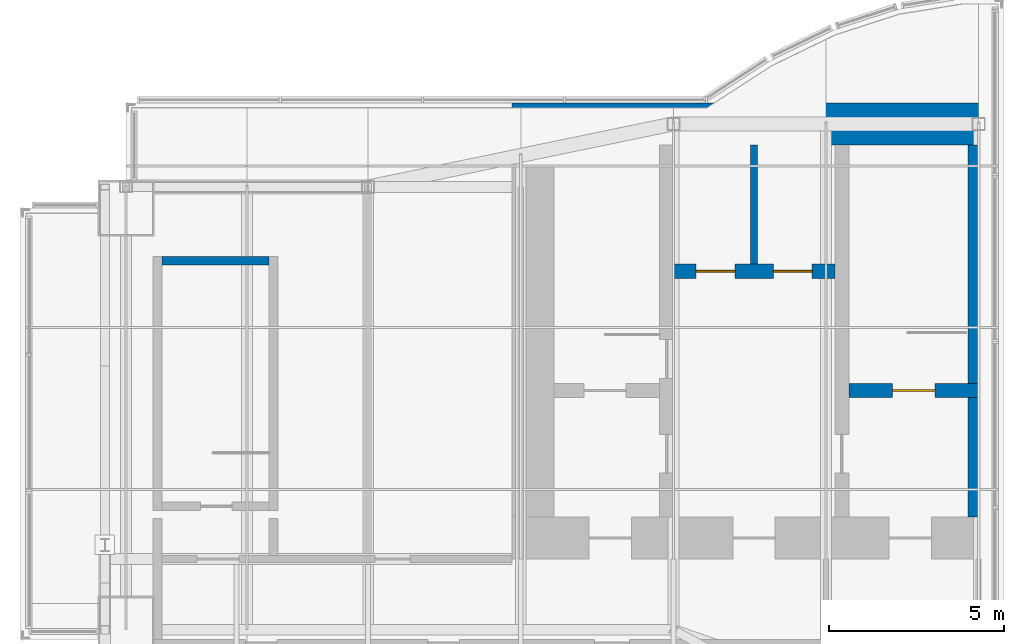
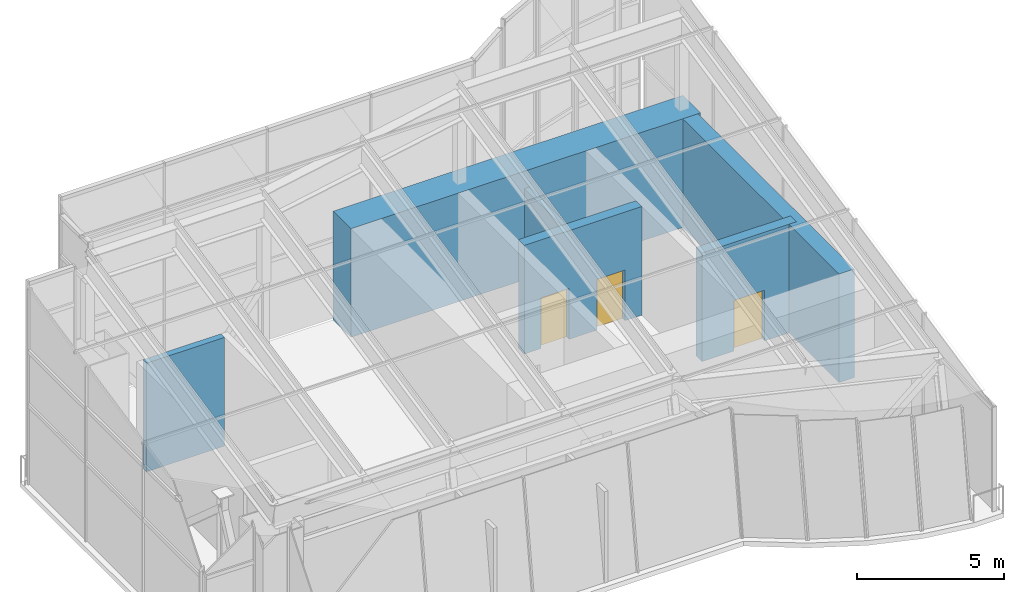
# One storey, part 7 of 8: 6 walls, 3 doors, 3 openings.
"""IFC4 building model written with IfcOpenShell, lengths in metres."""

from ifc_helpers import new_model, si_unit, direction, frame, frame_2d, origin, place, context, subcontext, project, spatial, rectangle, extrude, material, layer, layer_set, type_object, element, fill, save


model = new_model("IFC4")

# Units and contexts
model_context = context("Model", 3, precision=1e-05, world=origin(), true_north=direction((0.0, 1.0)))
body_context = subcontext(model_context, "Body", "Model", "MODEL_VIEW")
ifc_project = project(units=[si_unit("LENGTHUNIT", "METRE"), si_unit("AREAUNIT", "SQUARE_METRE"), si_unit("VOLUMEUNIT", "CUBIC_METRE"), si_unit("PLANEANGLEUNIT", "RADIAN"), si_unit("MASSUNIT", "GRAM", prefix="KILO")], contexts=[model_context])

# Site, building, storey
site_placement = place(None, origin())
site = spatial("IfcSite", under=ifc_project, at=site_placement, CompositionType="ELEMENT")
building_placement = place(site_placement, origin())
building = spatial("IfcBuilding", under=site, at=building_placement, Name="Bicima Exchange Tower", CompositionType="ELEMENT")
storey_placement = place(building_placement, frame((0.0, 0.0, 379.39990234375)))
storey = spatial("IfcBuildingStorey", under=building, at=storey_placement, Name="L85", CompositionType="ELEMENT", Elevation=379.39990234375)

# Walls
ifc_material_1 = material(Name="Gypsum board partition")
ifc_layer_1 = layer(ifc_material_1, 0.199951171875)
ifc_layer_set_1 = layer_set([ifc_layer_1], Name="Gypsum board partition")
wall_type_1 = type_object("IfcWallType", Name="Fire-rated gypsum partition 200 EI120", PredefinedType="PARTITIONING", material=ifc_layer_set_1)
wall_1_placement = place(storey_placement, frame((-15.10009765625, -4.60009765625, 0.0), z_axis=(0.0, 0.0, 1.0), x_axis=(0.0, 1.0, 0.0)))
element("IfcWall", 1, at=wall_1_placement, inside=storey, type_object=wall_type_1, Name="partition wall 5", PredefinedType="PARTITIONING", context=body_context, shape_type="SweptSolid", body=[
    extrude(rectangle(XDim=3.400146484375, YDim=0.199951171875, at=frame_2d((1.7001953125, 0.0))), origin(), (0.0, 0.0, 1.0), 3.780029296875),
])
ifc_material_2 = material(Name="Concrete C40/50", Category="concrete")
ifc_layer_2 = layer(ifc_material_2, 1.199951171875)
ifc_layer_set_2 = layer_set([ifc_layer_2], Name="Concrete C40/50")
wall_type_2 = type_object("IfcWallType", Name="RC core wall 1200 C40/50", PredefinedType="SHEAR", material=ifc_layer_set_2)
wall_2_placement = place(storey_placement, frame((-22.0, -0.60009765625, 0.0), z_axis=(0.0, 0.0, 1.0), x_axis=(1.0, 0.0, 0.0)))
element("IfcWall", 2, at=wall_2_placement, inside=storey, type_object=wall_type_2, Name="Core wall north-W", PredefinedType="SHEAR", context=body_context, shape_type="SweptSolid", body=[
    extrude(rectangle(XDim=13.699951171875, YDim=1.199951171875, at=frame_2d((6.85009765625, 0.0))), origin(), (0.0, 0.0, 1.0), 4.5),
])

# Wall, openings, doors
ifc_layer_3 = layer(ifc_material_2, 0.39990234375)
ifc_layer_set_3 = layer_set([ifc_layer_3], Name="Concrete C40/50")
wall_type_3 = type_object("IfcWallType", Name="RC core wall 400 C40/50", PredefinedType="SHEAR", material=ifc_layer_set_3)
wall_3_placement = place(storey_placement, frame((-17.39990234375, -4.800048828125, 0.0), z_axis=(0.0, 0.0, 1.0), x_axis=(1.0, 0.0, 0.0)))
wall_3 = element("IfcWall", 3, at=wall_3_placement, inside=storey, type_object=wall_type_3, Name="shear wall 3", PredefinedType="SHEAR", context=body_context, shape_type="SweptSolid", body=[
    extrude(rectangle(XDim=4.599853515625, YDim=0.39990234375, at=frame_2d((2.2998046875, 0.0))), origin(), (0.0, 0.0, 1.0), 4.5),
])
opening_1_placement = place(wall_3_placement, frame((0.64990234375, 0.0, 0.0)))
opening_1 = element("IfcOpeningElement", 4, at=opening_1_placement, cuts=wall_3, Name="Opening LD-FF1-L85", PredefinedType="OPENING", context=body_context, shape_type="SweptSolid", body=[
    extrude(rectangle(XDim=1.10009765625, YDim=2.10009765625, at=frame_2d((0.550048828125, 1.050048828125))), frame((0.0, 0.2119140625, 0.0), z_axis=(0.0, -1.0, 0.0), x_axis=(1.0, 0.0, 0.0)), (0.0, 0.0, 1.0), 0.423828125),
])
opening_2_placement = place(wall_3_placement, frame((2.85009765625, 0.0, 0.0)))
opening_2 = element("IfcOpeningElement", 5, at=opening_2_placement, cuts=wall_3, Name="Opening LD-FF3-L85", PredefinedType="OPENING", context=body_context, shape_type="SweptSolid", body=[
    extrude(rectangle(XDim=1.10009765625, YDim=2.10009765625, at=frame_2d((0.550048828125, 1.050048828125))), frame((0.0, 0.2119140625, 0.0), z_axis=(0.0, -1.0, 0.0), x_axis=(1.0, 0.0, 0.0)), (0.0, 0.0, 1.0), 0.423828125),
])
ifc_material_3 = material(Name="Stainless steel", Category="steel")
door_type_1 = type_object("IfcDoorType", Name="Lift landing door 1100 sliding", OperationType="DOUBLE_DOOR_SLIDING", PredefinedType="DOOR", material=ifc_material_3)
door_1_placement = place(opening_1_placement, origin())
door_1 = element("IfcDoor", 6, at=door_1_placement, inside=storey, type_object=door_type_1, Name="Lift landing door FF1", OperationType="DOUBLE_DOOR_SLIDING", OverallHeight=2.10009765625, OverallWidth=1.10009765625, PredefinedType="DOOR", context=body_context, shape_type="SweptSolid", body=[
    extrude(rectangle(XDim=1.10009765625, YDim=2.10009765625, at=frame_2d((0.550048828125, 1.050048828125))), frame((0.0, 0.02490234375, 0.0), z_axis=(0.0, -1.0, 0.0), x_axis=(1.0, 0.0, 0.0)), (0.0, 0.0, 1.0), 0.050048828125),
])
fill(opening_1, door_1)
door_2_placement = place(opening_2_placement, origin())
door_2 = element("IfcDoor", 7, at=door_2_placement, inside=storey, type_object=door_type_1, Name="Lift landing door FF3", OperationType="DOUBLE_DOOR_SLIDING", OverallHeight=2.10009765625, OverallWidth=1.10009765625, PredefinedType="DOOR", context=body_context, shape_type="SweptSolid", body=[
    extrude(rectangle(XDim=1.10009765625, YDim=2.10009765625, at=frame_2d((0.550048828125, 1.050048828125))), frame((0.0, 0.02490234375, 0.0), z_axis=(0.0, -1.0, 0.0), x_axis=(1.0, 0.0, 0.0)), (0.0, 0.0, 1.0), 0.050048828125),
])
fill(opening_2, door_2)

# Wall, opening, door
ifc_material_4 = material(Name="Concrete C50/60", Category="concrete")
ifc_layer_4 = layer(ifc_material_4, 0.39990234375)
ifc_layer_set_4 = layer_set([ifc_layer_4], Name="Concrete C50/60")
wall_type_4 = type_object("IfcWallType", Name="RC core wall 400 C50/60", PredefinedType="SHEAR", material=ifc_layer_set_4)
wall_4_placement = place(storey_placement, frame((-12.39990234375, -8.199951171875, 0.0), z_axis=(0.0, 0.0, 1.0), x_axis=(1.0, 0.0, 0.0)))
wall_4 = element("IfcWall", 8, at=wall_4_placement, inside=storey, type_object=wall_type_4, Name="stair wall 2", PredefinedType="SHEAR", context=body_context, shape_type="SweptSolid", body=[
    extrude(rectangle(XDim=3.699951171875, YDim=0.39990234375, at=frame_2d((1.85009765625, 0.0))), origin(), (0.0, 0.0, 1.0), 4.5),
])
opening_3_placement = place(wall_4_placement, frame((1.25, 0.0, 0.0)))
opening_3 = element("IfcOpeningElement", 9, at=opening_3_placement, cuts=wall_4, Name="Opening L85-C03", PredefinedType="OPENING", context=body_context, shape_type="SweptSolid", body=[
    extrude(rectangle(XDim=1.199951171875, YDim=2.10009765625, at=frame_2d((0.60009765625, 1.050048828125))), frame((0.0, 0.2119140625, 0.0), z_axis=(0.0, -1.0, 0.0), x_axis=(1.0, 0.0, 0.0)), (0.0, 0.0, 1.0), 0.423828125),
])
ifc_material_5 = material(Name="Steel fire door leaf", Category="steel")
door_type_2 = type_object("IfcDoorType", Name="Door 1200 swing FD60S", OperationType="SINGLE_SWING_LEFT", PredefinedType="DOOR", material=ifc_material_5)
door_3_placement = place(opening_3_placement, origin())
door_3 = element("IfcDoor", 10, at=door_3_placement, inside=storey, type_object=door_type_2, Name="Core door", OperationType="SINGLE_SWING_LEFT", OverallHeight=2.10009765625, OverallWidth=1.199951171875, PredefinedType="DOOR", context=body_context, shape_type="SweptSolid", body=[
    extrude(rectangle(XDim=1.199951171875, YDim=2.10009765625, at=frame_2d((0.60009765625, 1.050048828125))), frame((0.0, 0.02490234375, 0.0), z_axis=(0.0, -1.0, 0.0), x_axis=(1.0, 0.0, 0.0)), (0.0, 0.0, 1.0), 0.050048828125),
])
fill(opening_3, door_3)

# Walls
ifc_layer_5 = layer(ifc_material_2, 0.60009765625)
ifc_layer_set_5 = layer_set([ifc_layer_5], Name="Concrete C40/50")
wall_type_5 = type_object("IfcWallType", Name="RC core wall 600 C40/50", PredefinedType="SHEAR", material=ifc_layer_set_5)
wall_5_placement = place(storey_placement, frame((-8.699951171875, -11.800048828125, 0.0), z_axis=(0.0, 0.0, 1.0), x_axis=(0.0, 1.0, 0.0)))
element("IfcWall", 11, at=wall_5_placement, inside=storey, type_object=wall_type_5, Name="Core wall close-W", PredefinedType="SHEAR", context=body_context, shape_type="SweptSolid", body=[
    extrude(rectangle(XDim=10.60009765625, YDim=0.60009765625, at=frame_2d((5.300048828125, 0.0))), origin(), (0.0, 0.0, 1.0), 4.5),
])
ifc_layer_6 = layer(ifc_material_4, 0.25)
ifc_layer_set_6 = layer_set([ifc_layer_6], Name="Concrete C50/60")
wall_type_6 = type_object("IfcWallType", Name="RC stair enclosure wall 250 C50/60", PredefinedType="SHEAR", material=ifc_layer_set_6)
wall_6_placement = place(storey_placement, frame((-31.97509765625, -4.5, 0.0), z_axis=(0.0, 0.0, 1.0), x_axis=(1.0, 0.0, 0.0)))
element("IfcWall", 12, at=wall_6_placement, inside=storey, type_object=wall_type_6, Name="West end exit stair wall N", PredefinedType="SHEAR", context=body_context, shape_type="SweptSolid", body=[
    extrude(rectangle(XDim=3.050048828125, YDim=0.25, at=frame_2d((1.52490234375, 0.0))), origin(), (0.0, 0.0, 1.0), 4.5),
])

save(model, "model.ifc")
